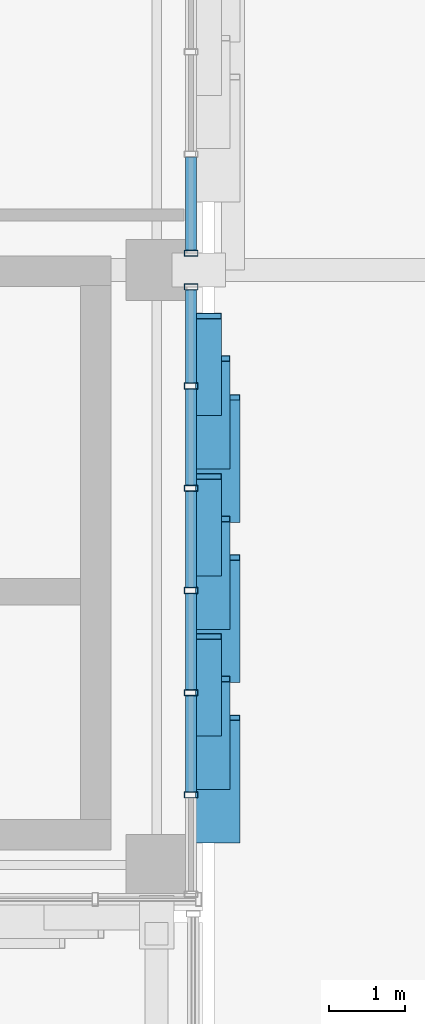
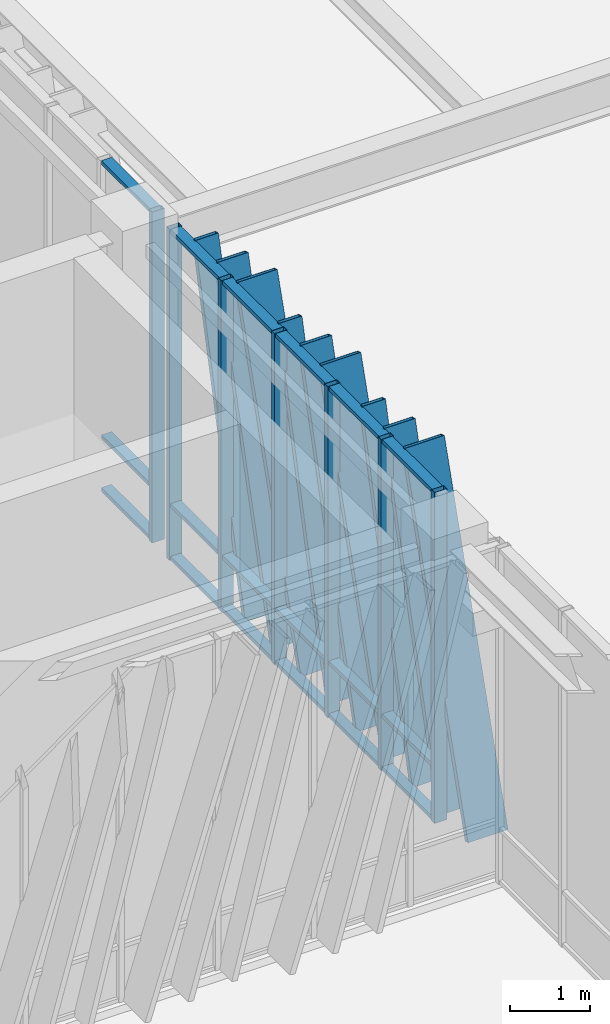
# One storey, part 51 of 122: 34 members, 2 elements without a shape of their own.
"""IFC4 building model written with IfcOpenShell, lengths in metres."""

from ifc_helpers import new_model, si_unit, direction, frame, origin, origin_2d, place, context, subcontext, project, spatial, hollow_rectangle, extrude, material, layer, layer_set, material_profile, profile_set, type_object, element, aggregate, save


model = new_model("IFC4")

# Units and contexts
model_context = context("Model", 3, precision=1e-05, world=origin(), true_north=direction((0.0, 1.0)))
body_context = subcontext(model_context, "Body", "Model", "MODEL_VIEW")
ifc_project = project(units=[si_unit("LENGTHUNIT", "METRE"), si_unit("AREAUNIT", "SQUARE_METRE"), si_unit("VOLUMEUNIT", "CUBIC_METRE"), si_unit("PLANEANGLEUNIT", "RADIAN"), si_unit("MASSUNIT", "GRAM", prefix="KILO")], contexts=[model_context])

# Site, building, storey
site_placement = place(None, origin())
site = spatial("IfcSite", under=ifc_project, at=site_placement, CompositionType="ELEMENT")
building_placement = place(site_placement, origin())
building = spatial("IfcBuilding", under=site, at=building_placement, Name="Zayran Congress Hotel", CompositionType="ELEMENT")
storey_placement = place(building_placement, origin())
storey = spatial("IfcBuildingStorey", under=building, at=storey_placement, Name="L00", CompositionType="ELEMENT", Elevation=0.0)

# Curtain wall, members
ifc_material_1 = material(Name="Anodised aluminium and low-E insulated glass", Category="aluminium")
ifc_layer_1 = layer(ifc_material_1, 0.179931640625)
ifc_layer_set_1 = layer_set([ifc_layer_1], Name="Anodised aluminium and low-E insulated glass")
curtain_wall_type_1 = type_object("IfcCurtainWallType", Name="CW-V1E-L00-CW-41-8040-5080", PredefinedType="USERDEFINED", material=ifc_layer_set_1)
curtain_wall_1_placement = place(storey_placement, origin())
curtain_wall_1 = element("IfcCurtainWall", 1, at=curtain_wall_1_placement, inside=storey, type_object=curtain_wall_type_1, Name="CW-V1E-L00-0", ObjectType="CURTAIN WALL", PredefinedType="USERDEFINED")
ifc_material_2 = material(Name="Anodised aluminium framing", Category="aluminium")
ifc_material_profile_1 = material_profile(ifc_material_2, hollow_rectangle(XDim=0.080078125, YDim=0.179931640625, WallThickness=0.0048828125, at=origin_2d()), Name="RHS 180x80x5")
ifc_profile_set_1 = profile_set([ifc_material_profile_1], Name="Anodised aluminium framing")
member_type_1 = type_object("IfcMemberType", Name="TP-CWM-01", PredefinedType="MULLION", material=ifc_profile_set_1)
member_1_placement = place(storey_placement, frame((92.25, 69.1201171875, 0.0), z_axis=(0.0, 0.0, 1.0), x_axis=(0.0, 1.0, 0.0)))
member_1 = element("IfcMember", 2, at=member_1_placement, type_object=member_type_1, Name="CW-V1E-L00-0-M01", PredefinedType="MULLION", context=body_context, shape_type="SweptSolid", body=[
    extrude(hollow_rectangle(XDim=0.080078125, YDim=0.179931640625, WallThickness=0.0048828125, at=origin_2d()), origin(), (0.0, 0.0, 1.0), 5.080078125),
])
member_2_placement = place(storey_placement, frame((92.25, 70.4599609375, 0.0), z_axis=(0.0, 0.0, 1.0), x_axis=(0.0, 1.0, 0.0)))
member_2 = element("IfcMember", 3, at=member_2_placement, type_object=member_type_1, Name="CW-V1E-L00-0-M02", PredefinedType="MULLION", context=body_context, shape_type="SweptSolid", body=[
    extrude(hollow_rectangle(XDim=0.080078125, YDim=0.179931640625, WallThickness=0.0048828125, at=origin_2d()), origin(), (0.0, 0.0, 1.0), 5.080078125),
])
member_3_placement = place(storey_placement, frame((92.25, 71.800048828125, 0.0), z_axis=(0.0, 0.0, 1.0), x_axis=(0.0, 1.0, 0.0)))
member_3 = element("IfcMember", 4, at=member_3_placement, type_object=member_type_1, Name="CW-V1E-L00-0-M03", PredefinedType="MULLION", context=body_context, shape_type="SweptSolid", body=[
    extrude(hollow_rectangle(XDim=0.080078125, YDim=0.179931640625, WallThickness=0.0048828125, at=origin_2d()), origin(), (0.0, 0.0, 1.0), 5.080078125),
])
member_4_placement = place(storey_placement, frame((92.25, 73.139892578125, 0.0), z_axis=(0.0, 0.0, 1.0), x_axis=(0.0, 1.0, 0.0)))
member_4 = element("IfcMember", 5, at=member_4_placement, type_object=member_type_1, Name="CW-V1E-L00-0-M04", PredefinedType="MULLION", context=body_context, shape_type="SweptSolid", body=[
    extrude(hollow_rectangle(XDim=0.080078125, YDim=0.179931640625, WallThickness=0.0048828125, at=origin_2d()), origin(), (0.0, 0.0, 1.0), 5.080078125),
])
member_5_placement = place(storey_placement, frame((92.25, 74.47998046875, 0.0), z_axis=(0.0, 0.0, 1.0), x_axis=(0.0, 1.0, 0.0)))
member_5 = element("IfcMember", 6, at=member_5_placement, type_object=member_type_1, Name="CW-V1E-L00-0-M05", PredefinedType="MULLION", context=body_context, shape_type="SweptSolid", body=[
    extrude(hollow_rectangle(XDim=0.080078125, YDim=0.179931640625, WallThickness=0.0048828125, at=origin_2d()), origin(), (0.0, 0.0, 1.0), 5.080078125),
])
member_6_placement = place(storey_placement, frame((92.25, 75.780029296875, 0.0), z_axis=(0.0, 0.0, 1.0), x_axis=(0.0, 1.0, 0.0)))
member_6 = element("IfcMember", 7, at=member_6_placement, type_object=member_type_1, Name="CW-V1E-L00-0-M06", PredefinedType="MULLION", context=body_context, shape_type="SweptSolid", body=[
    extrude(hollow_rectangle(XDim=0.080078125, YDim=0.179931640625, WallThickness=0.0048828125, at=origin_2d()), origin(), (0.0, 0.0, 1.0), 5.080078125),
])

# Curtain wall, member
ifc_layer_2 = layer(ifc_material_1, 0.179931640625)
ifc_layer_set_2 = layer_set([ifc_layer_2], Name="Anodised aluminium and low-E insulated glass")
curtain_wall_type_2 = type_object("IfcCurtainWallType", Name="CW-V1E-L00-CW-42-8040-5080", PredefinedType="USERDEFINED", material=ifc_layer_set_2)
curtain_wall_2_placement = place(storey_placement, origin())
curtain_wall_2 = element("IfcCurtainWall", 8, at=curtain_wall_2_placement, inside=storey, type_object=curtain_wall_type_2, Name="CW-V1E-L00-1", ObjectType="CURTAIN WALL", PredefinedType="USERDEFINED")
member_7_placement = place(storey_placement, frame((92.25, 76.219970703125, 0.0), z_axis=(0.0, 0.0, 1.0), x_axis=(0.0, 1.0, 0.0)))
member_7 = element("IfcMember", 9, at=member_7_placement, type_object=member_type_1, Name="CW-V1E-L00-1-M00", PredefinedType="MULLION", context=body_context, shape_type="SweptSolid", body=[
    extrude(hollow_rectangle(XDim=0.080078125, YDim=0.179931640625, WallThickness=0.0048828125, at=origin_2d()), origin(), (0.0, 0.0, 1.0), 5.080078125),
])

# Member
ifc_material_profile_2 = material_profile(ifc_material_2, hollow_rectangle(XDim=0.06005859375, YDim=0.14990234375, WallThickness=0.00390625, at=origin_2d()), Name="RHS 150x60x4")
ifc_profile_set_2 = profile_set([ifc_material_profile_2], Name="Anodised aluminium framing")
member_type_2 = type_object("IfcMemberType", Name="TP-CWT-01", PredefinedType="USERDEFINED", material=ifc_profile_set_2)
member_8_placement = place(storey_placement, frame((92.25, 69.159912109375, 0.030029296875), z_axis=(0.0, 1.0, 0.0), x_axis=(0.0, 0.0, 1.0)))
member_8 = element("IfcMember", 10, at=member_8_placement, type_object=member_type_2, Name="CW-V1E-L00-0-T01-0", ObjectType="TRANSOM", PredefinedType="USERDEFINED", context=body_context, shape_type="SweptSolid", body=[
    extrude(hollow_rectangle(XDim=0.06005859375, YDim=0.14990234375, WallThickness=0.00390625, at=origin_2d()), origin(), (0.0, 0.0, 1.0), 1.260009765625),
])

member_9_placement = place(storey_placement, frame((92.25, 69.159912109375, 0.840087890625), z_axis=(0.0, 1.0, 0.0), x_axis=(0.0, 0.0, 1.0)))
member_9 = element("IfcMember", 11, at=member_9_placement, type_object=member_type_2, Name="CW-V1E-L00-0-T01-1", ObjectType="TRANSOM", PredefinedType="USERDEFINED", context=body_context, shape_type="SweptSolid", body=[
    extrude(hollow_rectangle(XDim=0.06005859375, YDim=0.14990234375, WallThickness=0.00390625, at=origin_2d()), origin(), (0.0, 0.0, 1.0), 1.260009765625),
])

member_10_placement = place(storey_placement, frame((92.25, 69.159912109375, 5.050048828125), z_axis=(0.0, 1.0, 0.0), x_axis=(0.0, 0.0, 1.0)))
member_10 = element("IfcMember", 12, at=member_10_placement, type_object=member_type_2, Name="CW-V1E-L00-0-T01-2", ObjectType="TRANSOM", PredefinedType="USERDEFINED", context=body_context, shape_type="SweptSolid", body=[
    extrude(hollow_rectangle(XDim=0.06005859375, YDim=0.14990234375, WallThickness=0.00390625, at=origin_2d()), origin(), (0.0, 0.0, 1.0), 1.260009765625),
])

member_11_placement = place(storey_placement, frame((92.25, 70.5, 0.030029296875), z_axis=(0.0, 1.0, 0.0), x_axis=(0.0, 0.0, 1.0)))
member_11 = element("IfcMember", 13, at=member_11_placement, type_object=member_type_2, Name="CW-V1E-L00-0-T02-0", ObjectType="TRANSOM", PredefinedType="USERDEFINED", context=body_context, shape_type="SweptSolid", body=[
    extrude(hollow_rectangle(XDim=0.06005859375, YDim=0.14990234375, WallThickness=0.00390625, at=origin_2d()), origin(), (0.0, 0.0, 1.0), 1.260009765625),
])

member_12_placement = place(storey_placement, frame((92.25, 70.5, 0.840087890625), z_axis=(0.0, 1.0, 0.0), x_axis=(0.0, 0.0, 1.0)))
member_12 = element("IfcMember", 14, at=member_12_placement, type_object=member_type_2, Name="CW-V1E-L00-0-T02-1", ObjectType="TRANSOM", PredefinedType="USERDEFINED", context=body_context, shape_type="SweptSolid", body=[
    extrude(hollow_rectangle(XDim=0.06005859375, YDim=0.14990234375, WallThickness=0.00390625, at=origin_2d()), origin(), (0.0, 0.0, 1.0), 1.260009765625),
])

member_13_placement = place(storey_placement, frame((92.25, 70.5, 5.050048828125), z_axis=(0.0, 1.0, 0.0), x_axis=(0.0, 0.0, 1.0)))
member_13 = element("IfcMember", 15, at=member_13_placement, type_object=member_type_2, Name="CW-V1E-L00-0-T02-2", ObjectType="TRANSOM", PredefinedType="USERDEFINED", context=body_context, shape_type="SweptSolid", body=[
    extrude(hollow_rectangle(XDim=0.06005859375, YDim=0.14990234375, WallThickness=0.00390625, at=origin_2d()), origin(), (0.0, 0.0, 1.0), 1.260009765625),
])

member_14_placement = place(storey_placement, frame((92.25, 71.840087890625, 0.030029296875), z_axis=(0.0, 1.0, 0.0), x_axis=(0.0, 0.0, 1.0)))
member_14 = element("IfcMember", 16, at=member_14_placement, type_object=member_type_2, Name="CW-V1E-L00-0-T03-0", ObjectType="TRANSOM", PredefinedType="USERDEFINED", context=body_context, shape_type="SweptSolid", body=[
    extrude(hollow_rectangle(XDim=0.06005859375, YDim=0.14990234375, WallThickness=0.00390625, at=origin_2d()), origin(), (0.0, 0.0, 1.0), 1.260009765625),
])

member_15_placement = place(storey_placement, frame((92.25, 71.840087890625, 0.840087890625), z_axis=(0.0, 1.0, 0.0), x_axis=(0.0, 0.0, 1.0)))
member_15 = element("IfcMember", 17, at=member_15_placement, type_object=member_type_2, Name="CW-V1E-L00-0-T03-1", ObjectType="TRANSOM", PredefinedType="USERDEFINED", context=body_context, shape_type="SweptSolid", body=[
    extrude(hollow_rectangle(XDim=0.06005859375, YDim=0.14990234375, WallThickness=0.00390625, at=origin_2d()), origin(), (0.0, 0.0, 1.0), 1.260009765625),
])

member_16_placement = place(storey_placement, frame((92.25, 71.840087890625, 5.050048828125), z_axis=(0.0, 1.0, 0.0), x_axis=(0.0, 0.0, 1.0)))
member_16 = element("IfcMember", 18, at=member_16_placement, type_object=member_type_2, Name="CW-V1E-L00-0-T03-2", ObjectType="TRANSOM", PredefinedType="USERDEFINED", context=body_context, shape_type="SweptSolid", body=[
    extrude(hollow_rectangle(XDim=0.06005859375, YDim=0.14990234375, WallThickness=0.00390625, at=origin_2d()), origin(), (0.0, 0.0, 1.0), 1.260009765625),
])

member_17_placement = place(storey_placement, frame((92.25, 73.179931640625, 0.030029296875), z_axis=(0.0, 1.0, 0.0), x_axis=(0.0, 0.0, 1.0)))
member_17 = element("IfcMember", 19, at=member_17_placement, type_object=member_type_2, Name="CW-V1E-L00-0-T04-0", ObjectType="TRANSOM", PredefinedType="USERDEFINED", context=body_context, shape_type="SweptSolid", body=[
    extrude(hollow_rectangle(XDim=0.06005859375, YDim=0.14990234375, WallThickness=0.00390625, at=origin_2d()), origin(), (0.0, 0.0, 1.0), 1.260009765625),
])

member_18_placement = place(storey_placement, frame((92.25, 73.179931640625, 0.840087890625), z_axis=(0.0, 1.0, 0.0), x_axis=(0.0, 0.0, 1.0)))
member_18 = element("IfcMember", 20, at=member_18_placement, type_object=member_type_2, Name="CW-V1E-L00-0-T04-1", ObjectType="TRANSOM", PredefinedType="USERDEFINED", context=body_context, shape_type="SweptSolid", body=[
    extrude(hollow_rectangle(XDim=0.06005859375, YDim=0.14990234375, WallThickness=0.00390625, at=origin_2d()), origin(), (0.0, 0.0, 1.0), 1.260009765625),
])

member_19_placement = place(storey_placement, frame((92.25, 73.179931640625, 5.050048828125), z_axis=(0.0, 1.0, 0.0), x_axis=(0.0, 0.0, 1.0)))
member_19 = element("IfcMember", 21, at=member_19_placement, type_object=member_type_2, Name="CW-V1E-L00-0-T04-2", ObjectType="TRANSOM", PredefinedType="USERDEFINED", context=body_context, shape_type="SweptSolid", body=[
    extrude(hollow_rectangle(XDim=0.06005859375, YDim=0.14990234375, WallThickness=0.00390625, at=origin_2d()), origin(), (0.0, 0.0, 1.0), 1.260009765625),
])

member_20_placement = place(storey_placement, frame((92.25, 74.52001953125, 0.030029296875), z_axis=(0.0, 1.0, 0.0), x_axis=(0.0, 0.0, 1.0)))
member_20 = element("IfcMember", 22, at=member_20_placement, type_object=member_type_2, Name="CW-V1E-L00-0-T05-0", ObjectType="TRANSOM", PredefinedType="USERDEFINED", context=body_context, shape_type="SweptSolid", body=[
    extrude(hollow_rectangle(XDim=0.06005859375, YDim=0.14990234375, WallThickness=0.00390625, at=origin_2d()), origin(), (0.0, 0.0, 1.0), 1.219970703125),
])

member_21_placement = place(storey_placement, frame((92.25, 74.52001953125, 0.840087890625), z_axis=(0.0, 1.0, 0.0), x_axis=(0.0, 0.0, 1.0)))
member_21 = element("IfcMember", 23, at=member_21_placement, type_object=member_type_2, Name="CW-V1E-L00-0-T05-1", ObjectType="TRANSOM", PredefinedType="USERDEFINED", context=body_context, shape_type="SweptSolid", body=[
    extrude(hollow_rectangle(XDim=0.06005859375, YDim=0.14990234375, WallThickness=0.00390625, at=origin_2d()), origin(), (0.0, 0.0, 1.0), 1.219970703125),
])

member_22_placement = place(storey_placement, frame((92.25, 74.52001953125, 5.050048828125), z_axis=(0.0, 1.0, 0.0), x_axis=(0.0, 0.0, 1.0)))
member_22 = element("IfcMember", 24, at=member_22_placement, type_object=member_type_2, Name="CW-V1E-L00-0-T05-2", ObjectType="TRANSOM", PredefinedType="USERDEFINED", context=body_context, shape_type="SweptSolid", body=[
    extrude(hollow_rectangle(XDim=0.06005859375, YDim=0.14990234375, WallThickness=0.00390625, at=origin_2d()), origin(), (0.0, 0.0, 1.0), 1.219970703125),
])

member_23_placement = place(storey_placement, frame((92.25, 76.260009765625, 0.030029296875), z_axis=(0.0, 1.0, 0.0), x_axis=(0.0, 0.0, 1.0)))
member_23 = element("IfcMember", 25, at=member_23_placement, type_object=member_type_2, Name="CW-V1E-L00-1-T00-0", ObjectType="TRANSOM", PredefinedType="USERDEFINED", context=body_context, shape_type="SweptSolid", body=[
    extrude(hollow_rectangle(XDim=0.06005859375, YDim=0.14990234375, WallThickness=0.00390625, at=origin_2d()), origin(), (0.0, 0.0, 1.0), 1.219970703125),
])

member_24_placement = place(storey_placement, frame((92.25, 76.260009765625, 0.840087890625), z_axis=(0.0, 1.0, 0.0), x_axis=(0.0, 0.0, 1.0)))
member_24 = element("IfcMember", 26, at=member_24_placement, type_object=member_type_2, Name="CW-V1E-L00-1-T00-1", ObjectType="TRANSOM", PredefinedType="USERDEFINED", context=body_context, shape_type="SweptSolid", body=[
    extrude(hollow_rectangle(XDim=0.06005859375, YDim=0.14990234375, WallThickness=0.00390625, at=origin_2d()), origin(), (0.0, 0.0, 1.0), 1.219970703125),
])

member_25_placement = place(storey_placement, frame((92.25, 76.260009765625, 5.050048828125), z_axis=(0.0, 1.0, 0.0), x_axis=(0.0, 0.0, 1.0)))
member_25 = element("IfcMember", 27, at=member_25_placement, type_object=member_type_2, Name="CW-V1E-L00-1-T00-2", ObjectType="TRANSOM", PredefinedType="USERDEFINED", context=body_context, shape_type="SweptSolid", body=[
    extrude(hollow_rectangle(XDim=0.06005859375, YDim=0.14990234375, WallThickness=0.00390625, at=origin_2d()), origin(), (0.0, 0.0, 1.0), 1.219970703125),
])

aggregate(curtain_wall_2, [member_7, member_23, member_24, member_25])

ifc_material_3 = material(Name="Warm bronze anodised aluminium", Category="aluminium")
ifc_material_profile_3 = material_profile(ifc_material_3, hollow_rectangle(XDim=0.080078125, YDim=0.580078125, WallThickness=0.006103515625, at=origin_2d()), Name="RHS 580x80x6")
ifc_profile_set_3 = profile_set([ifc_material_profile_3], Name="Warm bronze anodised aluminium")
member_type_3 = type_object("IfcMemberType", Name="TP-RFN-01", PredefinedType="MULLION", material=ifc_profile_set_3)
member_26_placement = place(storey_placement, frame((92.60009765625, 68.530029296875, 0.0), z_axis=(0.0, 0.300675065474, 0.953726640606), x_axis=(0.0, -0.953726640606, 0.300675065474)))
member_26 = element("IfcMember", 28, at=member_26_placement, type_object=member_type_3, Name="Slanting Reed Mullion CW-41-01", PredefinedType="MULLION", context=body_context, shape_type="SweptSolid", body=[
    extrude(hollow_rectangle(XDim=0.080078125, YDim=0.580078125, WallThickness=0.006103515625, at=origin_2d()), origin(), (0.0, 0.0, 1.0), 5.32666015625),
])

member_27_placement = place(storey_placement, frame((92.60009765625, 70.6298828125, 0.0), z_axis=(0.0, 0.300716755525, 0.953713496259), x_axis=(0.0, -0.953713496259, 0.300716755525)))
member_27 = element("IfcMember", 29, at=member_27_placement, type_object=member_type_3, Name="Slanting Reed Mullion CW-41-04", PredefinedType="MULLION", context=body_context, shape_type="SweptSolid", body=[
    extrude(hollow_rectangle(XDim=0.080078125, YDim=0.580078125, WallThickness=0.006103515625, at=origin_2d()), origin(), (0.0, 0.0, 1.0), 5.32666015625),
])

member_28_placement = place(storey_placement, frame((92.60009765625, 72.72998046875, 0.0), z_axis=(0.0, 0.300716755525, 0.953713496259), x_axis=(0.0, -0.953713496259, 0.300716755525)))
member_28 = element("IfcMember", 30, at=member_28_placement, type_object=member_type_3, Name="Slanting Reed Mullion CW-41-07", PredefinedType="MULLION", context=body_context, shape_type="SweptSolid", body=[
    extrude(hollow_rectangle(XDim=0.080078125, YDim=0.580078125, WallThickness=0.006103515625, at=origin_2d()), origin(), (0.0, 0.0, 1.0), 5.32666015625),
])

ifc_material_profile_4 = material_profile(ifc_material_3, hollow_rectangle(XDim=0.080078125, YDim=0.449951171875, WallThickness=0.006103515625, at=origin_2d()), Name="RHS 450x80x6")
ifc_profile_set_4 = profile_set([ifc_material_profile_4], Name="Warm bronze anodised aluminium")
member_type_4 = type_object("IfcMemberType", Name="TP-RFN-02", PredefinedType="MULLION", material=ifc_profile_set_4)
member_29_placement = place(storey_placement, frame((92.534912109375, 69.22998046875, 0.0), z_axis=(0.0, 0.267256905477, 0.96362531436), x_axis=(0.0, -0.96362531436, 0.267256905477)))
member_29 = element("IfcMember", 31, at=member_29_placement, type_object=member_type_4, Name="Slanting Reed Mullion CW-41-02", PredefinedType="MULLION", context=body_context, shape_type="SweptSolid", body=[
    extrude(hollow_rectangle(XDim=0.080078125, YDim=0.449951171875, WallThickness=0.006103515625, at=origin_2d()), origin(), (0.0, 0.0, 1.0), 5.271728515625),
])

member_30_placement = place(storey_placement, frame((92.534912109375, 71.330078125, 0.0), z_axis=(0.0, 0.267213902124, 0.963637240102), x_axis=(0.0, -0.963637240102, 0.267213902124)))
member_30 = element("IfcMember", 32, at=member_30_placement, type_object=member_type_4, Name="Slanting Reed Mullion CW-41-05", PredefinedType="MULLION", context=body_context, shape_type="SweptSolid", body=[
    extrude(hollow_rectangle(XDim=0.080078125, YDim=0.449951171875, WallThickness=0.006103515625, at=origin_2d()), origin(), (0.0, 0.0, 1.0), 5.271728515625),
])

member_31_placement = place(storey_placement, frame((92.534912109375, 73.429931640625, 0.0), z_axis=(0.0, 0.267256905477, 0.96362531436), x_axis=(0.0, -0.96362531436, 0.267256905477)))
member_31 = element("IfcMember", 33, at=member_31_placement, type_object=member_type_4, Name="Slanting Reed Mullion CW-41-08", PredefinedType="MULLION", context=body_context, shape_type="SweptSolid", body=[
    extrude(hollow_rectangle(XDim=0.080078125, YDim=0.449951171875, WallThickness=0.006103515625, at=origin_2d()), origin(), (0.0, 0.0, 1.0), 5.271728515625),
])

ifc_material_profile_5 = material_profile(ifc_material_3, hollow_rectangle(XDim=0.080078125, YDim=0.340087890625, WallThickness=0.006103515625, at=origin_2d()), Name="RHS 340x80x6")
ifc_profile_set_5 = profile_set([ifc_material_profile_5], Name="Warm bronze anodised aluminium")
member_type_5 = type_object("IfcMemberType", Name="TP-RFN-03", PredefinedType="MULLION", material=ifc_profile_set_5)
member_32_placement = place(storey_placement, frame((92.47998046875, 69.929931640625, 0.0), z_axis=(0.0, 0.241921145618, 0.970295913267), x_axis=(0.0, -0.970295913267, 0.241921145618)))
member_32 = element("IfcMember", 34, at=member_32_placement, type_object=member_type_5, Name="Slanting Reed Mullion CW-41-03", PredefinedType="MULLION", context=body_context, shape_type="SweptSolid", body=[
    extrude(hollow_rectangle(XDim=0.080078125, YDim=0.340087890625, WallThickness=0.006103515625, at=origin_2d()), origin(), (0.0, 0.0, 1.0), 5.235595703125),
])

member_33_placement = place(storey_placement, frame((92.47998046875, 72.030029296875, 0.0), z_axis=(0.0, 0.241921145618, 0.970295913267), x_axis=(0.0, -0.970295913267, 0.241921145618)))
member_33 = element("IfcMember", 35, at=member_33_placement, type_object=member_type_5, Name="Slanting Reed Mullion CW-41-06", PredefinedType="MULLION", context=body_context, shape_type="SweptSolid", body=[
    extrude(hollow_rectangle(XDim=0.080078125, YDim=0.340087890625, WallThickness=0.006103515625, at=origin_2d()), origin(), (0.0, 0.0, 1.0), 5.235595703125),
])

member_34_placement = place(storey_placement, frame((92.47998046875, 74.1298828125, 0.0), z_axis=(0.0, 0.241921145618, 0.970295913267), x_axis=(0.0, -0.970295913267, 0.241921145618)))
member_34 = element("IfcMember", 36, at=member_34_placement, type_object=member_type_5, Name="Slanting Reed Mullion CW-41-09", PredefinedType="MULLION", context=body_context, shape_type="SweptSolid", body=[
    extrude(hollow_rectangle(XDim=0.080078125, YDim=0.340087890625, WallThickness=0.006103515625, at=origin_2d()), origin(), (0.0, 0.0, 1.0), 5.235595703125),
])

aggregate(curtain_wall_1, [member_1, member_2, member_3, member_4, member_5, member_6, member_8, member_9, member_10, member_11, member_12, member_13, member_14, member_15, member_16, member_17, member_18, member_19, member_20, member_21, member_22, member_26, member_29, member_32, member_27, member_30, member_33, member_28, member_31, member_34])

save(model, "model.ifc")
